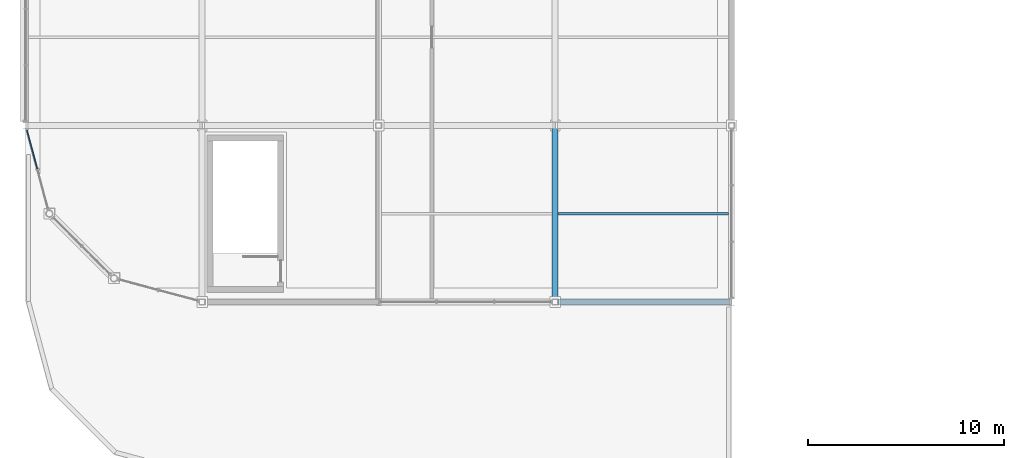
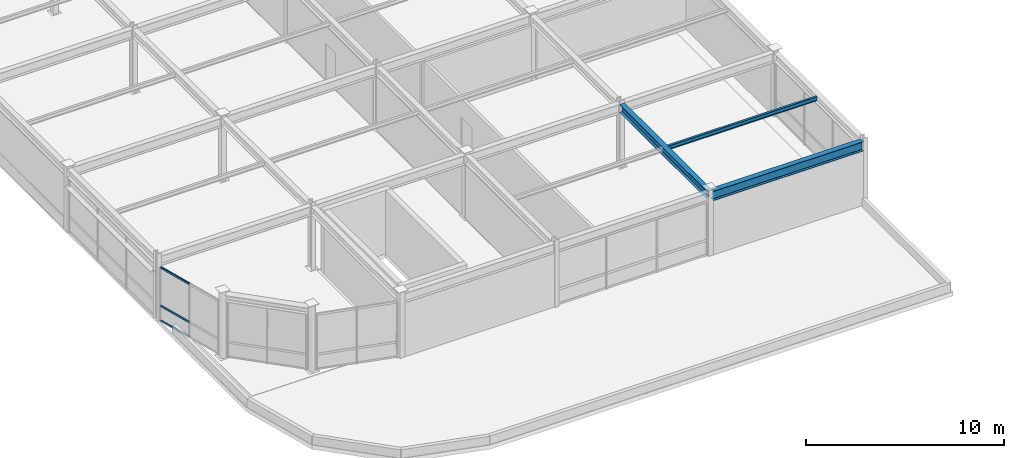
# One storey, part 24 of 108: 3 beams, 3 members, 1 element without a shape of its own.
"""IFC4 building model written with IfcOpenShell, lengths in metres."""

import ifcopenshell
import ifcopenshell.guid

model = None  # the IFC model being written
_history = None  # IfcOwnerHistory: only IFC2X3 demands one
_inside = {}  # id of a spatial element -> (the spatial element, [elements in it])
_under = {}  # id of a project, library or spatial element -> (it, [spatial elements below it])
_declared = {}  # id of a project -> (the project, [libraries it declares])
_typed = {}  # id of a type object -> (the type object, [elements of that type])
_made_of = {}  # id of a material, layer set ... -> (it, [elements and type objects made of it])


def new_model(schema):
    """Start an empty IFC model of exactly this schema.

    Asked for "IFC4X3", IfcOpenShell would pick the latest addendum, in which some entities
    have other attributes; the version numbers below select the first issue.
    IFC2X3 requires an IfcOwnerHistory on every rooted entity: one is made here for all.
    """
    global model, _history
    if schema == "IFC4X3":
        model = ifcopenshell.file(schema_version=(4, 3, 0, 0))
    else:
        model = ifcopenshell.file(schema=schema)
    _inside.clear()
    _under.clear()
    _declared.clear()
    _typed.clear()
    _made_of.clear()
    _history = None
    if model.schema == "IFC2X3":
        org = make("IfcOrganization", Name="unknown")
        user = make(
            "IfcPersonAndOrganization",
            ThePerson=make("IfcPerson", FamilyName="unknown"),
            TheOrganization=org,
        )
        app = make(
            "IfcApplication",
            ApplicationDeveloper=org,
            Version="unknown",
            ApplicationFullName="unknown",
            ApplicationIdentifier="unknown",
        )
        _history = make(
            "IfcOwnerHistory",
            OwningUser=user,
            OwningApplication=app,
            ChangeAction="ADDED",
            CreationDate=0,
        )
    return model


def make(cls, **values):
    """One entity of the class cls with the attributes given. An attribute that is None is left unset."""
    return model.create_entity(
        cls, **{name: value for name, value in values.items() if value is not None}
    )


def rooted(cls, **values):
    """An entity with a GlobalId (a new one), such as an element, a storey or a relation."""
    return make(cls, GlobalId=ifcopenshell.guid.new(), OwnerHistory=_history, **values)


def si_unit(unit_type, name, prefix=None):
    """IfcSIUnit, for example si_unit("LENGTHUNIT", "METRE", prefix="MILLI")."""
    return make("IfcSIUnit", UnitType=unit_type, Prefix=prefix, Name=name)


def assignment(units):
    """IfcUnitAssignment: the units of a project."""
    return None if units is None else make("IfcUnitAssignment", Units=units)


def point(xyz):
    """IfcCartesianPoint."""
    return None if xyz is None else make("IfcCartesianPoint", Coordinates=xyz)


def direction(xyz):
    """IfcDirection."""
    return None if xyz is None else make("IfcDirection", DirectionRatios=xyz)


def frame(location, z_axis=None, x_axis=None):
    """IfcAxis2Placement3D, a coordinate frame: its origin and axes. An axis left out is left unset."""
    return make(
        "IfcAxis2Placement3D",
        Location=point(location),
        Axis=direction(z_axis),
        RefDirection=direction(x_axis),
    )


def frame_2d(location, x_axis=None):
    """IfcAxis2Placement2D, a coordinate frame in the plane: its origin and x axis."""
    return make(
        "IfcAxis2Placement2D", Location=point(location), RefDirection=direction(x_axis)
    )


def origin():
    """The frame at (0, 0, 0) with its axes left unset."""
    return frame((0.0, 0.0, 0.0))


def origin_2d():
    """The frame at (0, 0) in the plane with its x axis left unset."""
    return frame_2d((0.0, 0.0))


def place(relative_to, where):
    """IfcLocalPlacement: puts the frame where relative to a parent placement (None: the world)."""
    return make(
        "IfcLocalPlacement", PlacementRelTo=relative_to, RelativePlacement=where
    )


def context(
    kind, dimensions, precision=None, world=None, true_north=None, identifier=None
):
    """IfcGeometricRepresentationContext, for example the 3D "Model" context."""
    return make(
        "IfcGeometricRepresentationContext",
        ContextIdentifier=identifier,
        ContextType=kind,
        CoordinateSpaceDimension=dimensions,
        Precision=precision,
        WorldCoordinateSystem=world,
        TrueNorth=true_north,
    )


def subcontext(parent, identifier, kind, view, scale=None):
    """IfcGeometricRepresentationSubContext, for example "Body" below "Model"."""
    return make(
        "IfcGeometricRepresentationSubContext",
        ContextIdentifier=identifier,
        ContextType=kind,
        ParentContext=parent,
        TargetScale=scale,
        TargetView=view,
    )


def project(units=None, contexts=None):
    """IfcProject with its units and contexts."""
    return rooted(
        "IfcProject",
        Name="project",
        RepresentationContexts=contexts,
        UnitsInContext=assignment(units),
    )


def spatial(cls, under=None, at=None, **own):
    """A site, building, storey or space (cls), placed at a placement, below another one or the project."""
    s = rooted(cls, ObjectPlacement=at, **own)
    if under is not None:
        _under.setdefault(under.id(), (under, []))[1].append(s)
    return s


def profile(cls, at=None, kind="AREA", **sizes):
    """A parametric profile (cls). Its sizes go by their IFC names, for example OverallWidth=200.0."""
    return make(cls, ProfileType=kind, Position=at, **sizes)


def rectangle(**sizes):
    """IfcRectangleProfileDef."""
    return profile("IfcRectangleProfileDef", **sizes)


def i_section(**sizes):
    """IfcIShapeProfileDef."""
    return profile("IfcIShapeProfileDef", **sizes)


def extrude(swept, where, along, depth):
    """IfcExtrudedAreaSolid: the profile swept, set in the frame where, extruded along a direction by depth."""
    return make(
        "IfcExtrudedAreaSolid",
        SweptArea=swept,
        Position=where,
        ExtrudedDirection=direction(along),
        Depth=depth,
    )


def shape(context_of_items, identifier, shape_type, items):
    """IfcShapeRepresentation: the items that make up one representation, for example the "Body"."""
    return make(
        "IfcShapeRepresentation",
        ContextOfItems=context_of_items,
        RepresentationIdentifier=identifier,
        RepresentationType=shape_type,
        Items=items,
    )


def material(Name=None, Category=None):
    """IfcMaterial."""
    return make("IfcMaterial", Name=Name, Category=Category)


def material_profile(
    of_material, cross_section, Name=None, Category=None, Priority=None
):
    """IfcMaterialProfile: a cross section and its material."""
    return make(
        "IfcMaterialProfile",
        Name=Name,
        Material=of_material,
        Profile=cross_section,
        Priority=Priority,
        Category=Category,
    )


def profile_set(profiles, Name=None, composite=None):
    """IfcMaterialProfileSet."""
    return make(
        "IfcMaterialProfileSet",
        Name=Name,
        MaterialProfiles=profiles,
        CompositeProfile=composite,
    )


def made_of(thing, what):
    """Note that an element or type object is made of a material, layer set ...; save() writes the relation."""
    if what is not None:
        _made_of.setdefault(what.id(), (what, []))[1].append(thing)
    return thing


def type_object(cls, material=None, **own):
    """A type object (cls), such as IfcWallType, which elements share."""
    return made_of(rooted(cls, **own), material)


def element(
    cls,
    number,
    at=None,
    inside=None,
    cuts=None,
    type_object=None,
    material=None,
    context=None,
    identifier="Body",
    shape_type=None,
    held_by="IfcProductDefinitionShape",
    body=None,
    shapes=None,
    **own,
):
    """One element of the class cls, such as IfcWall. Its Tag is "e" and its number.

    at: its placement. inside: the storey or other place that contains it. cuts: it is an
    opening in that element (IfcRelVoidsElement). A single representation is given by context,
    identifier, shape_type and body (its items); several are given by shapes. held_by: the class
    of the entity that holds the representations. save() writes the other relations.
    """
    e = rooted(cls, Tag="e%d" % number, ObjectPlacement=at, **own)
    if body is not None:
        shapes = [shape(context, identifier, shape_type, body)]
    if shapes is not None:
        e.Representation = make(held_by, Representations=shapes)
    if inside is not None:
        _inside.setdefault(inside.id(), (inside, []))[1].append(e)
    if cuts is not None:
        rooted(
            "IfcRelVoidsElement", RelatingBuildingElement=cuts, RelatedOpeningElement=e
        )
    if type_object is not None:
        _typed.setdefault(type_object.id(), (type_object, []))[1].append(e)
    return made_of(e, material)


def aggregate(whole, parts):
    """IfcRelAggregates: a whole, such as a stair, and the parts it consists of."""
    return rooted("IfcRelAggregates", RelatingObject=whole, RelatedObjects=parts)


def save(model, path):
    """Write the relations noted so far, then the file.

    IfcRelAggregates (storeys below a building ...), IfcRelContainedInSpatialStructure (elements
    in a storey), IfcRelDefinesByType, IfcRelAssociatesMaterial and IfcRelDeclares: one each for
    every whole, place, type object, material and project.
    """
    for whole, parts in _under.values():
        aggregate(whole, parts)
    for where, things in _inside.values():
        rooted(
            "IfcRelContainedInSpatialStructure",
            RelatedElements=things,
            RelatingStructure=where,
        )
    for kind, things in _typed.values():
        rooted("IfcRelDefinesByType", RelatedObjects=things, RelatingType=kind)
    for what, things in _made_of.values():
        rooted("IfcRelAssociatesMaterial", RelatedObjects=things, RelatingMaterial=what)
    for by, libraries in _declared.values():
        rooted("IfcRelDeclares", RelatingContext=by, RelatedDefinitions=libraries)
    model.write(path)


model = new_model("IFC4")

# Units and contexts
model_context = context("Model", 3, precision=1e-05, world=origin(), true_north=direction((0.0, 1.0)))
body_context = subcontext(model_context, "Body", "Model", "MODEL_VIEW")
ifc_project = project(units=[si_unit("LENGTHUNIT", "METRE"), si_unit("AREAUNIT", "SQUARE_METRE"), si_unit("VOLUMEUNIT", "CUBIC_METRE"), si_unit("PLANEANGLEUNIT", "RADIAN"), si_unit("MASSUNIT", "GRAM", prefix="KILO")], contexts=[model_context])

# Site, building, storey
site_placement = place(None, origin())
site = spatial("IfcSite", under=ifc_project, at=site_placement, CompositionType="ELEMENT")
building_placement = place(site_placement, origin())
building = spatial("IfcBuilding", under=site, at=building_placement, Name="Suzunagisa Mobility Hub", CompositionType="ELEMENT")
storey_placement = place(building_placement, frame((0.0, 0.0, 9.300048828125)))
storey = spatial("IfcBuildingStorey", under=building, at=storey_placement, Name="L02", CompositionType="ELEMENT", Elevation=9.300048828125)

# Curtain wall, members
ifc_material_1 = material(Name="Thermally Broken Anodized Aluminum and Low-E Glazing", Category="aluminium")
curtain_wall_type = type_object("IfcCurtainWallType", Name="Unitised Curtain Wall CW-06 4250x3300", PredefinedType="USERDEFINED", material=ifc_material_1)
curtain_wall_placement = place(storey_placement, origin())
curtain_wall = element("IfcCurtainWall", 1, at=curtain_wall_placement, inside=storey, type_object=curtain_wall_type, Name="L02 Unitised Curtain Wall CW-22", ObjectType="UNITISED CURTAIN WALL", PredefinedType="USERDEFINED")
ifc_material_2 = material(Name="Anodized Aluminum 6063-T6", Category="aluminium")
ifc_material_profile_1 = material_profile(ifc_material_2, rectangle(XDim=0.06005859375, YDim=0.1201171875, at=origin_2d()), Name="TRAN-60x120")
ifc_profile_set_1 = profile_set([ifc_material_profile_1], Name="Anodized Aluminum 6063-T6")
member_type = type_object("IfcMemberType", Name="Curtain Wall Framing CM-02 TRAN-60x120", PredefinedType="USERDEFINED", material=ifc_profile_set_1)
member_1_placement = place(storey_placement, frame((0.06591796875, 17.754150390625, 0.030029296875), z_axis=(0.258863938159, -0.965913796113, 0.0), x_axis=(0.965913796113, 0.258863938159, 0.0)))
member_1 = element("IfcMember", 2, at=member_1_placement, type_object=member_type, Name="Curtain Wall Transom 22-T1.1", ObjectType="TRANSOM", PredefinedType="USERDEFINED", context=body_context, shape_type="SweptSolid", body=[
    extrude(rectangle(XDim=0.06005859375, YDim=0.1201171875, at=origin_2d()), origin(), (0.0, 0.0, 1.0), 2.0361328125),
])
member_2_placement = place(storey_placement, frame((0.06591796875, 17.754150390625, 0.949951171875), z_axis=(0.258863938159, -0.965913796113, 0.0), x_axis=(0.965913796113, 0.258863938159, 0.0)))
member_2 = element("IfcMember", 3, at=member_2_placement, type_object=member_type, Name="Curtain Wall Transom 22-T1.2", ObjectType="TRANSOM", PredefinedType="USERDEFINED", context=body_context, shape_type="SweptSolid", body=[
    extrude(rectangle(XDim=0.06005859375, YDim=0.1201171875, at=origin_2d()), origin(), (0.0, 0.0, 1.0), 2.0361328125),
])
member_3_placement = place(storey_placement, frame((0.06591796875, 17.754150390625, 3.302001953125), z_axis=(0.258863938159, -0.965913796113, 0.0), x_axis=(0.965913796113, 0.258863938159, 0.0)))
member_3 = element("IfcMember", 4, at=member_3_placement, type_object=member_type, Name="Curtain Wall Transom 22-T1.3", ObjectType="TRANSOM", PredefinedType="USERDEFINED", context=body_context, shape_type="SweptSolid", body=[
    extrude(rectangle(XDim=0.06005859375, YDim=0.1201171875, at=origin_2d()), origin(), (0.0, 0.0, 1.0), 2.0361328125),
])
aggregate(curtain_wall, [member_1, member_2, member_3])

# Beams
ifc_material_3 = material(Name="Steel SN490B", Category="steel")
ifc_material_profile_2 = material_profile(ifc_material_3, i_section(OverallWidth=0.300048828125, OverallDepth=0.488037109375, WebThickness=0.010986328125, FlangeThickness=0.01806640625, FilletRadius=0.012939453125, at=origin_2d()), Name="H-488x300x11x18")
ifc_profile_set_2 = profile_set([ifc_material_profile_2], Name="Steel SN490B")
beam_type_1 = type_object("IfcBeamType", Name="Steel Beam BM-06 H-488x300x11x18", PredefinedType="BEAM", material=ifc_profile_set_2)
beam_1_placement = place(storey_placement, frame((27.0, 9.14599609375, 3.676025390625), z_axis=(0.0, 1.0, 0.0), x_axis=(-1.0, 0.0, 0.0)))
element("IfcBeam", 5, at=beam_1_placement, inside=storey, type_object=beam_type_1, Name="L02 Primary Girder GY-315", PredefinedType="BEAM", context=body_context, shape_type="SweptSolid", body=[
    extrude(i_section(OverallWidth=0.300048828125, OverallDepth=0.488037109375, WebThickness=0.010986328125, FlangeThickness=0.01806640625, FilletRadius=0.012939453125, at=origin_2d()), origin(), (0.0, 0.0, 1.0), 8.68798828125),
])
ifc_material_profile_3 = material_profile(ifc_material_3, i_section(OverallWidth=0.300048828125, OverallDepth=0.587890625, WebThickness=0.011962890625, FlangeThickness=0.02001953125, FilletRadius=0.012939453125, at=origin_2d()), Name="H-588x300x12x20")
ifc_profile_set_3 = profile_set([ifc_material_profile_3], Name="Steel SN490B")
beam_type_2 = type_object("IfcBeamType", Name="Steel Beam BM-16 H-588x300x12x20", PredefinedType="BEAM", material=ifc_profile_set_3)
beam_2_placement = place(storey_placement, frame((27.14599609375, 9.0, 3.6259765625), z_axis=(1.0, 0.0, 0.0), x_axis=(0.0, 1.0, 0.0)))
element("IfcBeam", 6, at=beam_2_placement, inside=storey, type_object=beam_type_2, Name="L02 Primary Girder GX-273", PredefinedType="BEAM", context=body_context, shape_type="SweptSolid", body=[
    extrude(i_section(OverallWidth=0.300048828125, OverallDepth=0.587890625, WebThickness=0.011962890625, FlangeThickness=0.02001953125, FilletRadius=0.012939453125, at=origin_2d()), origin(), (0.0, 0.0, 1.0), 8.73291015625),
])
ifc_material_4 = material(Name="Steel SN400B", Category="steel")
ifc_material_profile_4 = material_profile(ifc_material_4, i_section(OverallWidth=0.125, OverallDepth=0.25, WebThickness=0.006103515625, FlangeThickness=0.009033203125, FilletRadius=0.008056640625, at=origin_2d()), Name="H-250x125x6x9")
ifc_profile_set_4 = profile_set([ifc_material_profile_4], Name="Steel SN400B")
beam_type_3 = type_object("IfcBeamType", Name="Steel Beam BM-21 H-250x125x6x9", PredefinedType="JOIST", material=ifc_profile_set_4)
beam_3_placement = place(storey_placement, frame((27.14990234375, 13.5, 3.794921875), z_axis=(1.0, 0.0, 0.0), x_axis=(0.0, 1.0, 0.0)))
element("IfcBeam", 7, at=beam_3_placement, inside=storey, type_object=beam_type_3, Name="L02 Composite Floor Joist J-343", PredefinedType="JOIST", context=body_context, shape_type="SweptSolid", body=[
    extrude(i_section(OverallWidth=0.125, OverallDepth=0.25, WebThickness=0.006103515625, FlangeThickness=0.009033203125, FilletRadius=0.008056640625, at=origin_2d()), origin(), (0.0, 0.0, 1.0), 8.7001953125),
])

save(model, "model.ifc")
